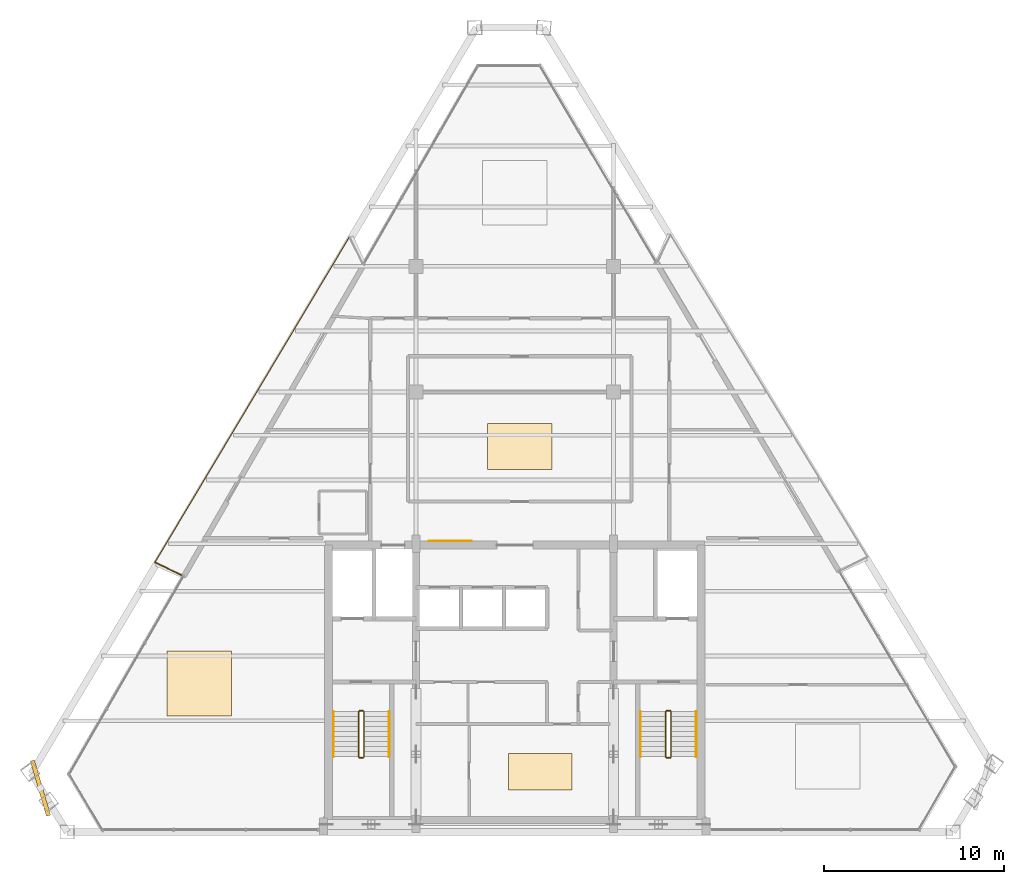
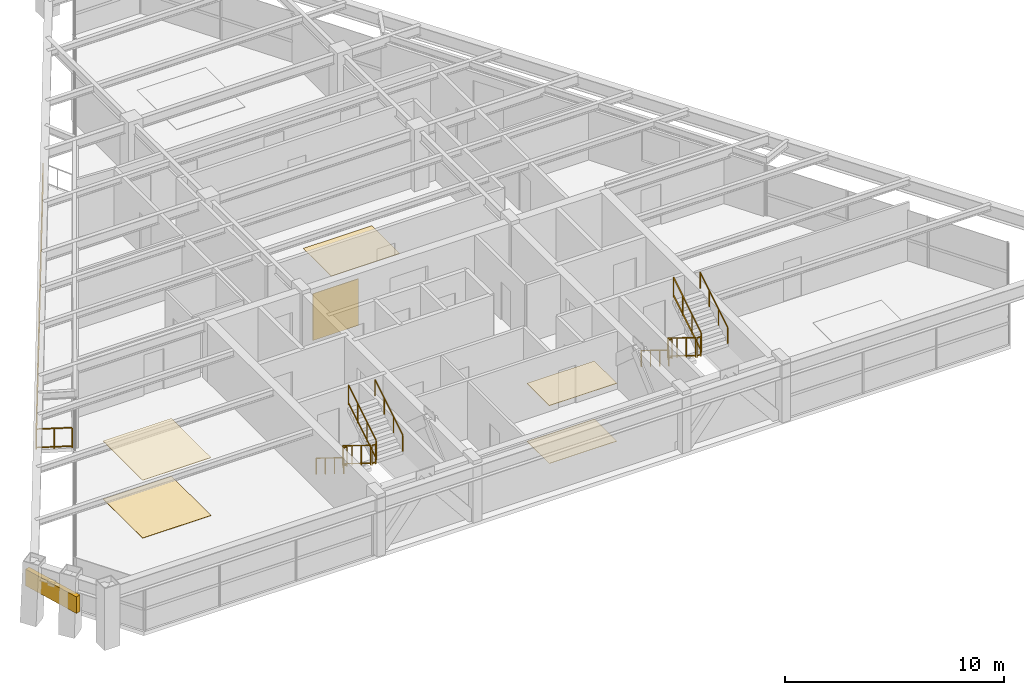
# One storey, part 12 of 13: 14 railings, 6 coverings, 1 shading device.
"""IFC4 building model written with IfcOpenShell, lengths in metres."""

from ifc_helpers import new_model, si_unit, direction, frame, origin, origin_2d, place, context, subcontext, project, spatial, rectangle, extrude, source, transform, mapped, material, layer, layer_set, type_object, type_shapes, element, save


model = new_model("IFC4")

# Units and contexts
model_context = context("Model", 3, precision=1e-05, world=origin(), true_north=direction((0.0, 1.0)))
body_context = subcontext(model_context, "Body", "Model", "MODEL_VIEW")
ifc_project = project(units=[si_unit("LENGTHUNIT", "METRE"), si_unit("AREAUNIT", "SQUARE_METRE"), si_unit("VOLUMEUNIT", "CUBIC_METRE"), si_unit("PLANEANGLEUNIT", "RADIAN"), si_unit("MASSUNIT", "GRAM", prefix="KILO")], contexts=[model_context])

# Site, building, storey
site_placement = place(None, origin())
site = spatial("IfcSite", under=ifc_project, at=site_placement, CompositionType="ELEMENT")
building_placement = place(site_placement, origin())
building = spatial("IfcBuilding", under=site, at=building_placement, Name="Varnakhor Terracotta Tower", CompositionType="ELEMENT")
storey_placement = place(building_placement, frame((0.0, 0.0, 276.449951171875)))
storey = spatial("IfcBuildingStorey", under=building, at=storey_placement, Name="L72", CompositionType="ELEMENT", Elevation=276.449951171875)

# Railings
ifc_material_1 = material(Name="Stainless Steel & Laminated Glass Guardrail", Category="steel")
railing_type_1 = type_object("IfcRailingType", Name="RLG-LOGGIA-GUARD-1150", PredefinedType="GUARDRAIL", material=ifc_material_1)
railing_1_placement = place(storey_placement, frame((-18.555908203125, 14.298583984375, 0.0)))
element("IfcRailing", 1, at=railing_1_placement, inside=storey, type_object=railing_type_1, Name="L72 W Loggia Glass Guard 1", PredefinedType="GUARDRAIL", context=body_context, shape_type="SweptSolid", body=[
    extrude(rectangle(XDim=0.048095703125, YDim=0.048095703125, at=origin_2d()), frame((0.0, 0.0, 1.1259765625), z_axis=(-0.899212997117, 0.437511126506, 0.0), x_axis=(-0.437511126506, -0.899212997117, 0.0)), (0.0, 0.0, 1.0), 1.64501953125),
    extrude(rectangle(XDim=0.048095703125, YDim=0.048095703125, at=origin_2d()), frame((0.0, 0.0, 0.10009765625), z_axis=(-0.899212997117, 0.437511126506, 0.0), x_axis=(-0.437511126506, -0.899212997117, 0.0)), (0.0, 0.0, 1.0), 1.64501953125),
    extrude(rectangle(XDim=0.0419921875, YDim=0.0419921875, at=origin_2d()), origin(), (0.0, 0.0, 1.0), 1.101806640625),
    extrude(rectangle(XDim=0.0419921875, YDim=0.0419921875, at=origin_2d()), frame((-0.73974609375, 0.35986328125, 0.0)), (0.0, 0.0, 1.0), 1.101806640625),
    extrude(rectangle(XDim=0.0419921875, YDim=0.0419921875, at=origin_2d()), frame((-1.479248046875, 0.7197265625, 0.0)), (0.0, 0.0, 1.0), 1.101806640625),
])
railing_2_placement = place(storey_placement, frame((-20.03515625, 15.018310546875, 0.0)))
element("IfcRailing", 2, at=railing_2_placement, inside=storey, type_object=railing_type_1, Name="L72 W Loggia Glass Guard 2", PredefinedType="GUARDRAIL", context=body_context, shape_type="SweptSolid", body=[
    extrude(rectangle(XDim=0.048095703125, YDim=0.048095703125, at=origin_2d()), frame((0.0, 0.0, 1.1259765625), z_axis=(0.512844622793, 0.858481445852, 0.0), x_axis=(-0.858481445852, 0.512844622793, 0.0)), (0.0, 0.0, 1.0), 21.104248046875),
    extrude(rectangle(XDim=0.048095703125, YDim=0.048095703125, at=origin_2d()), frame((0.0, 0.0, 0.10009765625), z_axis=(0.512844622793, 0.858481445852, 0.0), x_axis=(-0.858481445852, 0.512844622793, 0.0)), (0.0, 0.0, 1.0), 21.104248046875),
    extrude(rectangle(XDim=0.0419921875, YDim=0.0419921875, at=origin_2d()), origin(), (0.0, 0.0, 1.0), 1.101806640625),
    extrude(rectangle(XDim=0.0419921875, YDim=0.0419921875, at=origin_2d()), frame((0.676513671875, 1.13232421875, 0.0)), (0.0, 0.0, 1.0), 1.101806640625),
    extrude(rectangle(XDim=0.0419921875, YDim=0.0419921875, at=origin_2d()), frame((1.35302734375, 2.2646484375, 0.0)), (0.0, 0.0, 1.0), 1.101806640625),
    extrude(rectangle(XDim=0.0419921875, YDim=0.0419921875, at=origin_2d()), frame((2.029296875, 3.39697265625, 0.0)), (0.0, 0.0, 1.0), 1.101806640625),
    extrude(rectangle(XDim=0.0419921875, YDim=0.0419921875, at=origin_2d()), frame((2.705810546875, 4.529296875, 0.0)), (0.0, 0.0, 1.0), 1.101806640625),
    extrude(rectangle(XDim=0.0419921875, YDim=0.0419921875, at=origin_2d()), frame((3.38232421875, 5.661865234375, 0.0)), (0.0, 0.0, 1.0), 1.101806640625),
    extrude(rectangle(XDim=0.0419921875, YDim=0.0419921875, at=origin_2d()), frame((4.05859375, 6.794189453125, 0.0)), (0.0, 0.0, 1.0), 1.101806640625),
    extrude(rectangle(XDim=0.0419921875, YDim=0.0419921875, at=origin_2d()), frame((4.735107421875, 7.926513671875, 0.0)), (0.0, 0.0, 1.0), 1.101806640625),
    extrude(rectangle(XDim=0.0419921875, YDim=0.0419921875, at=origin_2d()), frame((5.41162109375, 9.058837890625, 0.0)), (0.0, 0.0, 1.0), 1.101806640625),
    extrude(rectangle(XDim=0.0419921875, YDim=0.0419921875, at=origin_2d()), frame((6.088134765625, 10.191162109375, 0.0)), (0.0, 0.0, 1.0), 1.101806640625),
    extrude(rectangle(XDim=0.0419921875, YDim=0.0419921875, at=origin_2d()), frame((6.7646484375, 11.323486328125, 0.0)), (0.0, 0.0, 1.0), 1.101806640625),
    extrude(rectangle(XDim=0.0419921875, YDim=0.0419921875, at=origin_2d()), frame((7.44091796875, 12.455810546875, 0.0)), (0.0, 0.0, 1.0), 1.101806640625),
    extrude(rectangle(XDim=0.0419921875, YDim=0.0419921875, at=origin_2d()), frame((8.117431640625, 13.58837890625, 0.0)), (0.0, 0.0, 1.0), 1.101806640625),
    extrude(rectangle(XDim=0.0419921875, YDim=0.0419921875, at=origin_2d()), frame((8.7939453125, 14.720703125, 0.0)), (0.0, 0.0, 1.0), 1.101806640625),
    extrude(rectangle(XDim=0.0419921875, YDim=0.0419921875, at=origin_2d()), frame((9.47021484375, 15.85302734375, 0.0)), (0.0, 0.0, 1.0), 1.101806640625),
    extrude(rectangle(XDim=0.0419921875, YDim=0.0419921875, at=origin_2d()), frame((10.146728515625, 16.9853515625, 0.0)), (0.0, 0.0, 1.0), 1.101806640625),
    extrude(rectangle(XDim=0.0419921875, YDim=0.0419921875, at=origin_2d()), frame((10.8232421875, 18.11767578125, 0.0)), (0.0, 0.0, 1.0), 1.101806640625),
])
ifc_material_2 = material(Name="Painted Steel Stairwell Guardrail", Category="steel")
railing_type_2 = type_object("IfcRailingType", Name="RLG-STAIR-GUARD-1120", PredefinedType="GUARDRAIL", material=ifc_material_2)
railing_3_placement = place(storey_placement, frame((-8.699951171875, 6.7099609375, 0.172607421875)))
element("IfcRailing", 3, at=railing_3_placement, inside=storey, type_object=railing_type_2, Name="L72 ST-1 stair guard 1", PredefinedType="GUARDRAIL", context=body_context, shape_type="SweptSolid", body=[
    extrude(rectangle(XDim=0.048095703125, YDim=0.048095703125, at=origin_2d()), frame((0.0, 0.0, 1.09619140625), z_axis=(0.0, -0.851400495292, 0.524516154772), x_axis=(1.0, 0.0, 0.0)), (0.0, 0.0, 1.0), 2.9599609375),
    extrude(rectangle(XDim=0.048095703125, YDim=0.048095703125, at=origin_2d()), frame((0.0, 0.0, 0.10009765625), z_axis=(0.0, -0.851400495292, 0.524516154772), x_axis=(1.0, 0.0, 0.0)), (0.0, 0.0, 1.0), 2.9599609375),
    extrude(rectangle(XDim=0.0419921875, YDim=0.0419921875, at=origin_2d()), origin(), (0.0, 0.0, 1.0), 1.072021484375),
    extrude(rectangle(XDim=0.0419921875, YDim=0.0419921875, at=origin_2d()), frame((0.0, -0.840087890625, 0.517578125)), (0.0, 0.0, 1.0), 1.072021484375),
    extrude(rectangle(XDim=0.0419921875, YDim=0.0419921875, at=origin_2d()), frame((0.0, -1.679931640625, 1.034912109375)), (0.0, 0.0, 1.0), 1.072021484375),
    extrude(rectangle(XDim=0.0419921875, YDim=0.0419921875, at=origin_2d()), frame((0.0, -2.52001953125, 1.552490234375)), (0.0, 0.0, 1.0), 1.072021484375),
])
railing_4_placement = place(storey_placement, frame((-8.64990234375, 4.139892578125, 1.72509765625)))
element("IfcRailing", 4, at=railing_4_placement, inside=storey, type_object=railing_type_2, Name="L72 ST-1 stair guard 2", PredefinedType="GUARDRAIL", context=body_context, shape_type="SweptSolid", body=[
    extrude(rectangle(XDim=0.048095703125, YDim=0.048095703125, at=origin_2d()), frame((0.0, 0.0, 1.09619140625), z_axis=(1.0, 0.0, 0.0), x_axis=(0.0, 1.0, 0.0)), (0.0, 0.0, 1.0), 0.199951171875),
    extrude(rectangle(XDim=0.048095703125, YDim=0.048095703125, at=origin_2d()), frame((0.0, 0.0, 0.10009765625), z_axis=(1.0, 0.0, 0.0), x_axis=(0.0, 1.0, 0.0)), (0.0, 0.0, 1.0), 0.199951171875),
    extrude(rectangle(XDim=0.0419921875, YDim=0.0419921875, at=origin_2d()), origin(), (0.0, 0.0, 1.0), 1.072021484375),
    extrude(rectangle(XDim=0.0419921875, YDim=0.0419921875, at=origin_2d()), frame((0.199951171875, 0.0, 0.0)), (0.0, 0.0, 1.0), 1.072021484375),
])
railing_5_placement = place(storey_placement, frame((-8.39990234375, 4.18994140625, 1.8974609375)))
element("IfcRailing", 5, at=railing_5_placement, inside=storey, type_object=railing_type_2, Name="L72 ST-1 stair guard 3", PredefinedType="GUARDRAIL", context=body_context, shape_type="SweptSolid", body=[
    extrude(rectangle(XDim=0.048095703125, YDim=0.048095703125, at=origin_2d()), frame((0.0, 0.0, 1.09619140625), z_axis=(0.0, 0.851400495292, 0.524516154772), x_axis=(-1.0, 0.0, 0.0)), (0.0, 0.0, 1.0), 2.9599609375),
    extrude(rectangle(XDim=0.048095703125, YDim=0.048095703125, at=origin_2d()), frame((0.0, 0.0, 0.10009765625), z_axis=(0.0, 0.851400495292, 0.524516154772), x_axis=(-1.0, 0.0, 0.0)), (0.0, 0.0, 1.0), 2.9599609375),
    extrude(rectangle(XDim=0.0419921875, YDim=0.0419921875, at=origin_2d()), origin(), (0.0, 0.0, 1.0), 1.072021484375),
    extrude(rectangle(XDim=0.0419921875, YDim=0.0419921875, at=origin_2d()), frame((0.0, 0.840087890625, 0.517578125)), (0.0, 0.0, 1.0), 1.072021484375),
    extrude(rectangle(XDim=0.0419921875, YDim=0.0419921875, at=origin_2d()), frame((0.0, 1.679931640625, 1.034912109375)), (0.0, 0.0, 1.0), 1.072021484375),
    extrude(rectangle(XDim=0.0419921875, YDim=0.0419921875, at=origin_2d()), frame((0.0, 2.52001953125, 1.552490234375)), (0.0, 0.0, 1.0), 1.072021484375),
])
railing_6_placement = place(storey_placement, frame((-8.64990234375, 6.760009765625, 0.0)))
element("IfcRailing", 6, at=railing_6_placement, inside=storey, type_object=railing_type_2, Name="L72 ST-1 stair guard 4", PredefinedType="GUARDRAIL", context=body_context, shape_type="SweptSolid", body=[
    extrude(rectangle(XDim=0.048095703125, YDim=0.048095703125, at=origin_2d()), frame((0.0, 0.0, 1.09619140625), z_axis=(1.0, 0.0, 0.0), x_axis=(0.0, 1.0, 0.0)), (0.0, 0.0, 1.0), 0.199951171875),
    extrude(rectangle(XDim=0.048095703125, YDim=0.048095703125, at=origin_2d()), frame((0.0, 0.0, 0.10009765625), z_axis=(1.0, 0.0, 0.0), x_axis=(0.0, 1.0, 0.0)), (0.0, 0.0, 1.0), 0.199951171875),
    extrude(rectangle(XDim=0.0419921875, YDim=0.0419921875, at=origin_2d()), origin(), (0.0, 0.0, 1.0), 1.072021484375),
    extrude(rectangle(XDim=0.0419921875, YDim=0.0419921875, at=origin_2d()), frame((0.199951171875, 0.0, 0.0)), (0.0, 0.0, 1.0), 1.072021484375),
])
railing_7_placement = place(storey_placement, frame((8.39990234375, 6.7099609375, 0.172607421875)))
element("IfcRailing", 7, at=railing_7_placement, inside=storey, type_object=railing_type_2, Name="L72 ST-2 stair guard 1", PredefinedType="GUARDRAIL", context=body_context, shape_type="SweptSolid", body=[
    extrude(rectangle(XDim=0.048095703125, YDim=0.048095703125, at=origin_2d()), frame((0.0, 0.0, 1.09619140625), z_axis=(0.0, -0.851400495292, 0.524516154772), x_axis=(1.0, 0.0, 0.0)), (0.0, 0.0, 1.0), 2.9599609375),
    extrude(rectangle(XDim=0.048095703125, YDim=0.048095703125, at=origin_2d()), frame((0.0, 0.0, 0.10009765625), z_axis=(0.0, -0.851400495292, 0.524516154772), x_axis=(1.0, 0.0, 0.0)), (0.0, 0.0, 1.0), 2.9599609375),
    extrude(rectangle(XDim=0.0419921875, YDim=0.0419921875, at=origin_2d()), origin(), (0.0, 0.0, 1.0), 1.072021484375),
    extrude(rectangle(XDim=0.0419921875, YDim=0.0419921875, at=origin_2d()), frame((0.0, -0.840087890625, 0.517578125)), (0.0, 0.0, 1.0), 1.072021484375),
    extrude(rectangle(XDim=0.0419921875, YDim=0.0419921875, at=origin_2d()), frame((0.0, -1.679931640625, 1.034912109375)), (0.0, 0.0, 1.0), 1.072021484375),
    extrude(rectangle(XDim=0.0419921875, YDim=0.0419921875, at=origin_2d()), frame((0.0, -2.52001953125, 1.552490234375)), (0.0, 0.0, 1.0), 1.072021484375),
])
railing_8_placement = place(storey_placement, frame((8.449951171875, 4.139892578125, 1.72509765625)))
element("IfcRailing", 8, at=railing_8_placement, inside=storey, type_object=railing_type_2, Name="L72 ST-2 stair guard 2", PredefinedType="GUARDRAIL", context=body_context, shape_type="SweptSolid", body=[
    extrude(rectangle(XDim=0.048095703125, YDim=0.048095703125, at=origin_2d()), frame((0.0, 0.0, 1.09619140625), z_axis=(1.0, 0.0, 0.0), x_axis=(0.0, 1.0, 0.0)), (0.0, 0.0, 1.0), 0.199951171875),
    extrude(rectangle(XDim=0.048095703125, YDim=0.048095703125, at=origin_2d()), frame((0.0, 0.0, 0.10009765625), z_axis=(1.0, 0.0, 0.0), x_axis=(0.0, 1.0, 0.0)), (0.0, 0.0, 1.0), 0.199951171875),
    extrude(rectangle(XDim=0.0419921875, YDim=0.0419921875, at=origin_2d()), origin(), (0.0, 0.0, 1.0), 1.072021484375),
    extrude(rectangle(XDim=0.0419921875, YDim=0.0419921875, at=origin_2d()), frame((0.199951171875, 0.0, 0.0)), (0.0, 0.0, 1.0), 1.072021484375),
])
railing_9_placement = place(storey_placement, frame((8.699951171875, 4.18994140625, 1.8974609375)))
element("IfcRailing", 9, at=railing_9_placement, inside=storey, type_object=railing_type_2, Name="L72 ST-2 stair guard 3", PredefinedType="GUARDRAIL", context=body_context, shape_type="SweptSolid", body=[
    extrude(rectangle(XDim=0.048095703125, YDim=0.048095703125, at=origin_2d()), frame((0.0, 0.0, 1.09619140625), z_axis=(0.0, 0.851400495292, 0.524516154772), x_axis=(-1.0, 0.0, 0.0)), (0.0, 0.0, 1.0), 2.9599609375),
    extrude(rectangle(XDim=0.048095703125, YDim=0.048095703125, at=origin_2d()), frame((0.0, 0.0, 0.10009765625), z_axis=(0.0, 0.851400495292, 0.524516154772), x_axis=(-1.0, 0.0, 0.0)), (0.0, 0.0, 1.0), 2.9599609375),
    extrude(rectangle(XDim=0.0419921875, YDim=0.0419921875, at=origin_2d()), origin(), (0.0, 0.0, 1.0), 1.072021484375),
    extrude(rectangle(XDim=0.0419921875, YDim=0.0419921875, at=origin_2d()), frame((0.0, 0.840087890625, 0.517578125)), (0.0, 0.0, 1.0), 1.072021484375),
    extrude(rectangle(XDim=0.0419921875, YDim=0.0419921875, at=origin_2d()), frame((0.0, 1.679931640625, 1.034912109375)), (0.0, 0.0, 1.0), 1.072021484375),
    extrude(rectangle(XDim=0.0419921875, YDim=0.0419921875, at=origin_2d()), frame((0.0, 2.52001953125, 1.552490234375)), (0.0, 0.0, 1.0), 1.072021484375),
])
railing_10_placement = place(storey_placement, frame((8.449951171875, 6.760009765625, 0.0)))
element("IfcRailing", 10, at=railing_10_placement, inside=storey, type_object=railing_type_2, Name="L72 ST-2 stair guard 4", PredefinedType="GUARDRAIL", context=body_context, shape_type="SweptSolid", body=[
    extrude(rectangle(XDim=0.048095703125, YDim=0.048095703125, at=origin_2d()), frame((0.0, 0.0, 1.09619140625), z_axis=(1.0, 0.0, 0.0), x_axis=(0.0, 1.0, 0.0)), (0.0, 0.0, 1.0), 0.199951171875),
    extrude(rectangle(XDim=0.048095703125, YDim=0.048095703125, at=origin_2d()), frame((0.0, 0.0, 0.10009765625), z_axis=(1.0, 0.0, 0.0), x_axis=(0.0, 1.0, 0.0)), (0.0, 0.0, 1.0), 0.199951171875),
    extrude(rectangle(XDim=0.0419921875, YDim=0.0419921875, at=origin_2d()), origin(), (0.0, 0.0, 1.0), 1.072021484375),
    extrude(rectangle(XDim=0.0419921875, YDim=0.0419921875, at=origin_2d()), frame((0.199951171875, 0.0, 0.0)), (0.0, 0.0, 1.0), 1.072021484375),
])
ifc_material_3 = material(Name="Brushed Stainless Steel Handrail", Category="steel")
railing_type_3 = type_object("IfcRailingType", Name="RLG-STAIR-HANDRAIL-920", PredefinedType="HANDRAIL", material=ifc_material_3)
railing_11_placement = place(storey_placement, frame((-10.10009765625, 6.7099609375, 0.172607421875)))
element("IfcRailing", 11, at=railing_11_placement, inside=storey, type_object=railing_type_3, Name="L72 ST-1 stair handrail 1", PredefinedType="HANDRAIL", context=body_context, shape_type="SweptSolid", body=[
    extrude(rectangle(XDim=0.048095703125, YDim=0.048095703125, at=origin_2d()), frame((0.0, 0.0, 0.89599609375), z_axis=(0.0, -0.851400495292, 0.524516154772), x_axis=(1.0, 0.0, 0.0)), (0.0, 0.0, 1.0), 2.9599609375),
    extrude(rectangle(XDim=0.0419921875, YDim=0.0419921875, at=origin_2d()), origin(), (0.0, 0.0, 1.0), 0.871826171875),
    extrude(rectangle(XDim=0.0419921875, YDim=0.0419921875, at=origin_2d()), frame((0.0, -0.840087890625, 0.517578125)), (0.0, 0.0, 1.0), 0.871826171875),
    extrude(rectangle(XDim=0.0419921875, YDim=0.0419921875, at=origin_2d()), frame((0.0, -1.679931640625, 1.034912109375)), (0.0, 0.0, 1.0), 0.871826171875),
    extrude(rectangle(XDim=0.0419921875, YDim=0.0419921875, at=origin_2d()), frame((0.0, -2.52001953125, 1.552490234375)), (0.0, 0.0, 1.0), 0.871826171875),
])
railing_12_placement = place(storey_placement, frame((-7.0, 4.18994140625, 1.8974609375)))
element("IfcRailing", 12, at=railing_12_placement, inside=storey, type_object=railing_type_3, Name="L72 ST-1 stair handrail 2", PredefinedType="HANDRAIL", context=body_context, shape_type="SweptSolid", body=[
    extrude(rectangle(XDim=0.048095703125, YDim=0.048095703125, at=origin_2d()), frame((0.0, 0.0, 0.89599609375), z_axis=(0.0, 0.851400495292, 0.524516154772), x_axis=(-1.0, 0.0, 0.0)), (0.0, 0.0, 1.0), 2.9599609375),
    extrude(rectangle(XDim=0.0419921875, YDim=0.0419921875, at=origin_2d()), origin(), (0.0, 0.0, 1.0), 0.871826171875),
    extrude(rectangle(XDim=0.0419921875, YDim=0.0419921875, at=origin_2d()), frame((0.0, 0.840087890625, 0.517578125)), (0.0, 0.0, 1.0), 0.871826171875),
    extrude(rectangle(XDim=0.0419921875, YDim=0.0419921875, at=origin_2d()), frame((0.0, 1.679931640625, 1.034912109375)), (0.0, 0.0, 1.0), 0.871826171875),
    extrude(rectangle(XDim=0.0419921875, YDim=0.0419921875, at=origin_2d()), frame((0.0, 2.52001953125, 1.552490234375)), (0.0, 0.0, 1.0), 0.871826171875),
])
railing_13_placement = place(storey_placement, frame((7.0, 6.7099609375, 0.172607421875)))
element("IfcRailing", 13, at=railing_13_placement, inside=storey, type_object=railing_type_3, Name="L72 ST-2 stair handrail 1", PredefinedType="HANDRAIL", context=body_context, shape_type="SweptSolid", body=[
    extrude(rectangle(XDim=0.048095703125, YDim=0.048095703125, at=origin_2d()), frame((0.0, 0.0, 0.89599609375), z_axis=(0.0, -0.851400495292, 0.524516154772), x_axis=(1.0, 0.0, 0.0)), (0.0, 0.0, 1.0), 2.9599609375),
    extrude(rectangle(XDim=0.0419921875, YDim=0.0419921875, at=origin_2d()), origin(), (0.0, 0.0, 1.0), 0.871826171875),
    extrude(rectangle(XDim=0.0419921875, YDim=0.0419921875, at=origin_2d()), frame((0.0, -0.840087890625, 0.517578125)), (0.0, 0.0, 1.0), 0.871826171875),
    extrude(rectangle(XDim=0.0419921875, YDim=0.0419921875, at=origin_2d()), frame((0.0, -1.679931640625, 1.034912109375)), (0.0, 0.0, 1.0), 0.871826171875),
    extrude(rectangle(XDim=0.0419921875, YDim=0.0419921875, at=origin_2d()), frame((0.0, -2.52001953125, 1.552490234375)), (0.0, 0.0, 1.0), 0.871826171875),
])
railing_14_placement = place(storey_placement, frame((10.10009765625, 4.18994140625, 1.8974609375)))
element("IfcRailing", 14, at=railing_14_placement, inside=storey, type_object=railing_type_3, Name="L72 ST-2 stair handrail 2", PredefinedType="HANDRAIL", context=body_context, shape_type="SweptSolid", body=[
    extrude(rectangle(XDim=0.048095703125, YDim=0.048095703125, at=origin_2d()), frame((0.0, 0.0, 0.89599609375), z_axis=(0.0, 0.851400495292, 0.524516154772), x_axis=(-1.0, 0.0, 0.0)), (0.0, 0.0, 1.0), 2.9599609375),
    extrude(rectangle(XDim=0.0419921875, YDim=0.0419921875, at=origin_2d()), origin(), (0.0, 0.0, 1.0), 0.871826171875),
    extrude(rectangle(XDim=0.0419921875, YDim=0.0419921875, at=origin_2d()), frame((0.0, 0.840087890625, 0.517578125)), (0.0, 0.0, 1.0), 0.871826171875),
    extrude(rectangle(XDim=0.0419921875, YDim=0.0419921875, at=origin_2d()), frame((0.0, 1.679931640625, 1.034912109375)), (0.0, 0.0, 1.0), 0.871826171875),
    extrude(rectangle(XDim=0.0419921875, YDim=0.0419921875, at=origin_2d()), frame((0.0, 2.52001953125, 1.552490234375)), (0.0, 0.0, 1.0), 0.871826171875),
])

# Shading device
ifc_material_4 = material(Name="Extruded Architectural Terracotta Screen", Category="masonry")
shading_device_type = type_object("IfcShadingDeviceType", Name="TERRACOTTA SOLAR SCREEN W", PredefinedType="USERDEFINED", material=ifc_material_4)
shared_shape_1 = source(origin(), body_context, "Body", "SweptSolid", [
    extrude(rectangle(XDim=3.199951171875, YDim=0.239990234375, at=origin_2d()), origin(), (0.0, 0.0, 1.0), 0.919921875),
])
type_shapes(shading_device_type, [shared_shape_1])
shading_device_placement = place(storey_placement, frame((-26.418212890625, 2.446044921875, 1.56201171875), z_axis=(0.0, 0.0, 1.0), x_axis=(0.281453947241, -0.959574736841, 0.0)))
element("IfcShadingDevice", 15, at=shading_device_placement, inside=storey, type_object=shading_device_type, Name="L72 W Terracotta Solar Screen", ObjectType="SCREEN", PredefinedType="USERDEFINED", context=body_context, shape_type="MappedRepresentation", body=[
    mapped(shared_shape_1, transform((0.0, 0.0, 0.0), scale=1.0)),
])

# Coverings
ifc_material_5 = material(Name="Extruded Architectural Terracotta Cladding", Category="masonry")
ifc_layer_1 = layer(ifc_material_5, 0.044921875, Name="Extruded Architectural Terracotta Cladding")
ifc_layer_set_1 = layer_set([ifc_layer_1], Name="Extruded Architectural Terracotta Cladding")
covering_type_1 = type_object("IfcCoveringType", Name="COV-CLAD-TERRACOTTA", PredefinedType="CLADDING", material=ifc_layer_set_1)
shared_shape_2 = source(origin(), body_context, "Body", "SweptSolid", [
    extrude(rectangle(XDim=2.39990234375, YDim=0.030029296875, at=origin_2d()), origin(), (0.0, 0.0, 1.0), 2.60009765625),
])
type_shapes(covering_type_1, [shared_shape_2])
covering_1_placement = place(storey_placement, frame((-3.60009765625, 16.2119140625, 0.0), z_axis=(0.0, 0.0, 1.0), x_axis=(1.0, 0.0, 0.0)))
element("IfcCovering", 16, at=covering_1_placement, inside=storey, type_object=covering_type_1, Name="L72 Core Lobby Limestone Cladding", PredefinedType="CLADDING", context=body_context, shape_type="MappedRepresentation", body=[
    mapped(shared_shape_2, transform((0.0, 0.0, 0.0), scale=1.0)),
])
ifc_material_6 = material(Name="Honed Riyadh Limestone Flooring", Category="masonry")
ifc_layer_2 = layer(ifc_material_6, 0.030029296875, Name="Honed Riyadh Limestone Flooring")
ifc_layer_set_2 = layer_set([ifc_layer_2], Name="Honed Riyadh Limestone Flooring")
covering_type_2 = type_object("IfcCoveringType", Name="COV-FLOOR-LIMESTONE", PredefinedType="FLOORING", material=ifc_layer_set_2)
shared_shape_3 = source(origin(), body_context, "Body", "SweptSolid", [
    extrude(rectangle(XDim=3.60009765625, YDim=3.60009765625, at=origin_2d()), origin(), (0.0, 0.0, 1.0), 0.02001953125),
])
covering_2_placement = place(storey_placement, frame((-17.572021484375, 8.26611328125, 0.0), z_axis=(0.0, 0.0, 1.0), x_axis=(1.0, 0.0, 0.0)))
element("IfcCovering", 17, at=covering_2_placement, inside=storey, type_object=covering_type_2, Name="L72 Honed Stone Flooring 2", PredefinedType="FLOORING", context=body_context, shape_type="MappedRepresentation", body=[
    mapped(shared_shape_3, transform((0.0, 0.0, 0.0), scale=1.0)),
])
ifc_material_7 = material(Name="Perforated Acoustic Mineral-Fibre Ceiling", Category="gypsum")
ifc_layer_3 = layer(ifc_material_7, 0.02490234375, Name="Perforated Acoustic Mineral-Fibre Ceiling")
ifc_layer_set_3 = layer_set([ifc_layer_3], Name="Perforated Acoustic Mineral-Fibre Ceiling")
covering_type_3 = type_object("IfcCoveringType", Name="COV-CEILING-ACOUSTIC", PredefinedType="CEILING", material=ifc_layer_set_3)
shared_shape_4 = source(origin(), body_context, "Body", "SweptSolid", [
    extrude(rectangle(XDim=3.60009765625, YDim=3.60009765625, at=origin_2d()), origin(), (0.0, 0.0, 1.0), 0.02392578125),
])
covering_3_placement = place(storey_placement, frame((-17.572021484375, 8.26611328125, 3.216064453125), z_axis=(0.0, 0.0, 1.0), x_axis=(1.0, 0.0, 0.0)))
element("IfcCovering", 18, at=covering_3_placement, inside=storey, type_object=covering_type_3, Name="L72 Acoustic Ceiling Panel 2", PredefinedType="CEILING", context=body_context, shape_type="MappedRepresentation", body=[
    mapped(shared_shape_4, transform((0.0, 0.0, 0.0), scale=1.0)),
])
shared_shape_5 = source(origin(), body_context, "Body", "SweptSolid", [
    extrude(rectangle(XDim=3.547119140625, YDim=2.041015625, at=origin_2d()), origin(), (0.0, 0.0, 1.0), 0.02001953125),
])
covering_4_placement = place(storey_placement, frame((1.4150390625, 3.35498046875, 0.0), z_axis=(0.0, 0.0, 1.0), x_axis=(1.0, 0.0, 0.0)))
element("IfcCovering", 19, at=covering_4_placement, inside=storey, type_object=covering_type_2, Name="L72 Honed Stone Flooring 1", PredefinedType="FLOORING", context=body_context, shape_type="MappedRepresentation", body=[
    mapped(shared_shape_5, transform((0.0, 0.0, 0.0), scale=1.0)),
])
shared_shape_6 = source(origin(), body_context, "Body", "SweptSolid", [
    extrude(rectangle(XDim=3.547119140625, YDim=2.041015625, at=origin_2d()), origin(), (0.0, 0.0, 1.0), 0.02392578125),
])
covering_5_placement = place(storey_placement, frame((1.4150390625, 3.35498046875, 3.216064453125), z_axis=(0.0, 0.0, 1.0), x_axis=(1.0, 0.0, 0.0)))
element("IfcCovering", 20, at=covering_5_placement, inside=storey, type_object=covering_type_3, Name="L72 Acoustic Ceiling Panel 1", PredefinedType="CEILING", context=body_context, shape_type="MappedRepresentation", body=[
    mapped(shared_shape_6, transform((0.0, 0.0, 0.0), scale=1.0)),
])
shared_shape_7 = source(origin(), body_context, "Body", "SweptSolid", [
    extrude(rectangle(XDim=3.60009765625, YDim=2.5439453125, at=origin_2d()), origin(), (0.0, 0.0, 1.0), 0.02001953125),
])
covering_6_placement = place(storey_placement, frame((0.27490234375, 21.4609375, 0.0), z_axis=(0.0, 0.0, 1.0), x_axis=(1.0, 0.0, 0.0)))
element("IfcCovering", 21, at=covering_6_placement, inside=storey, type_object=covering_type_2, Name="L72 Honed Stone Flooring 4", PredefinedType="FLOORING", context=body_context, shape_type="MappedRepresentation", body=[
    mapped(shared_shape_7, transform((0.0, 0.0, 0.0), scale=1.0)),
])

save(model, "model.ifc")
